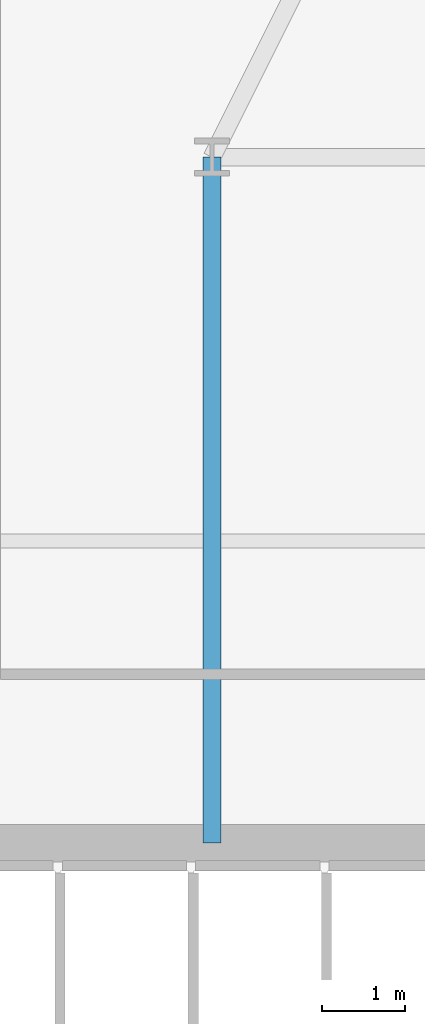
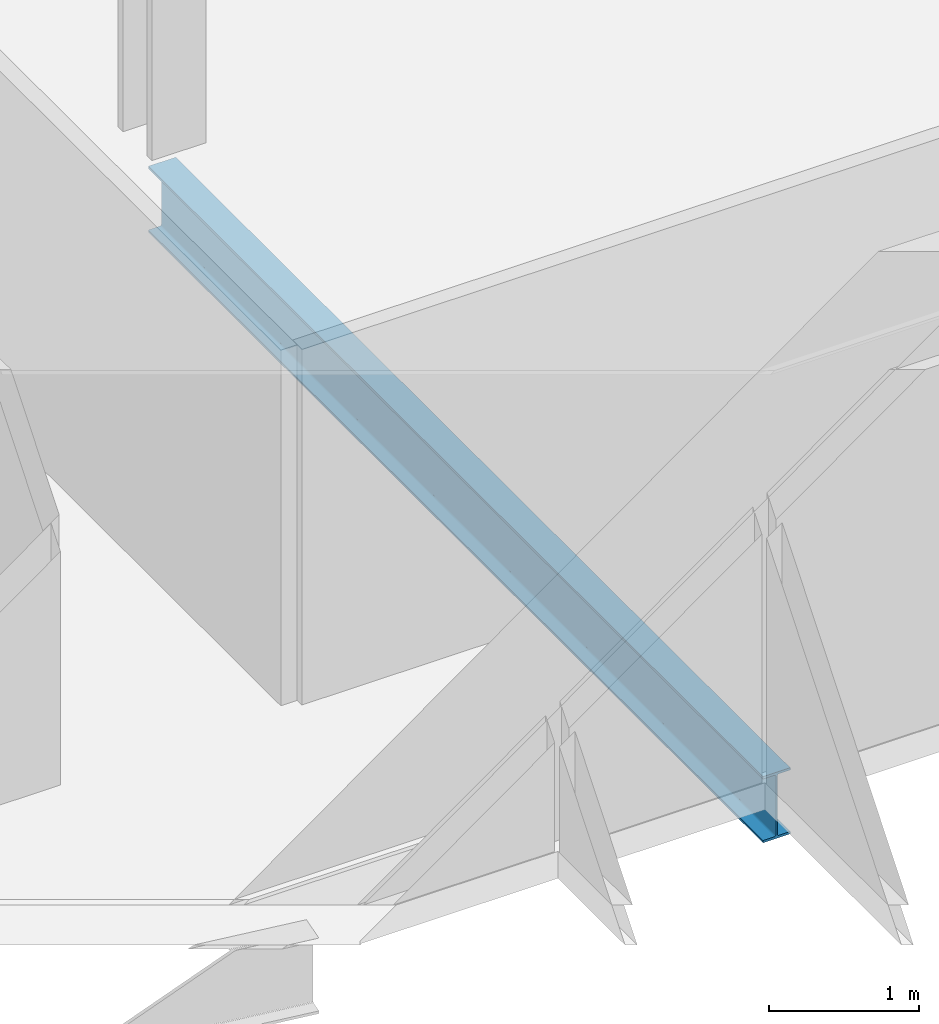
# One storey, part 5 of 32: 1 beam.
"""IFC4 building model written with IfcOpenShell, lengths in metres."""

from ifc_helpers import new_model, si_unit, direction, frame, origin, origin_2d, place, context, subcontext, project, spatial, i_section, extrude, material, material_profile, profile_set, type_object, element, save


model = new_model("IFC4")

# Units and contexts
model_context = context("Model", 3, precision=1e-05, world=origin(), true_north=direction((0.0, 1.0)))
body_context = subcontext(model_context, "Body", "Model", "MODEL_VIEW")
ifc_project = project(units=[si_unit("LENGTHUNIT", "METRE"), si_unit("AREAUNIT", "SQUARE_METRE"), si_unit("VOLUMEUNIT", "CUBIC_METRE"), si_unit("PLANEANGLEUNIT", "RADIAN"), si_unit("MASSUNIT", "GRAM", prefix="KILO")], contexts=[model_context])

# Site, building, storey
site_placement = place(None, origin())
site = spatial("IfcSite", under=ifc_project, at=site_placement, CompositionType="ELEMENT")
building_placement = place(site_placement, origin())
building = spatial("IfcBuilding", under=site, at=building_placement, Name="Ndaravel Arena Tower", CompositionType="ELEMENT")
storey_placement = place(building_placement, frame((0.0, 0.0, 55.0)))
storey = spatial("IfcBuildingStorey", under=building, at=storey_placement, Name="L11", CompositionType="ELEMENT", Elevation=55.0)

# Beam
ifc_material = material(Name="Steel S355", Category="steel")
ifc_material_profile = material_profile(ifc_material, i_section(OverallWidth=0.210693359375, OverallDepth=0.53955078125, WebThickness=0.01171875, FlangeThickness=0.018798828125, FilletRadius=0.0126953125, at=origin_2d()), Name="UB 533x210x109")
ifc_profile_set = profile_set([ifc_material_profile], Name="Steel S355")
beam_type = type_object("IfcBeamType", Name="BM-GIRD-UB533", PredefinedType="BEAM", material=ifc_profile_set)
beam_placement = place(storey_placement, frame((34.199951171875, 14.97998046875, -0.48974609375), z_axis=(0.0, 1.0, 0.0), x_axis=(-1.0, 0.0, 0.0)))
element("IfcBeam", 1, at=beam_placement, inside=storey, type_object=beam_type, Name="L11 Spine Link Girder SLG-01", PredefinedType="BEAM", context=body_context, shape_type="SweptSolid", body=[
    extrude(i_section(OverallWidth=0.210693359375, OverallDepth=0.53955078125, WebThickness=0.01171875, FlangeThickness=0.018798828125, FilletRadius=0.0126953125, at=origin_2d()), origin(), (0.0, 0.0, 1.0), 8.219970703125),
])

save(model, "model.ifc")
